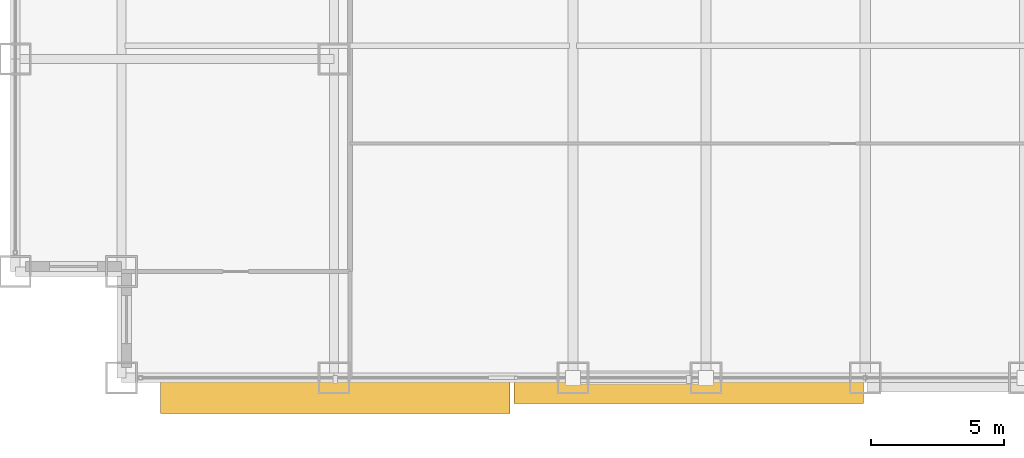
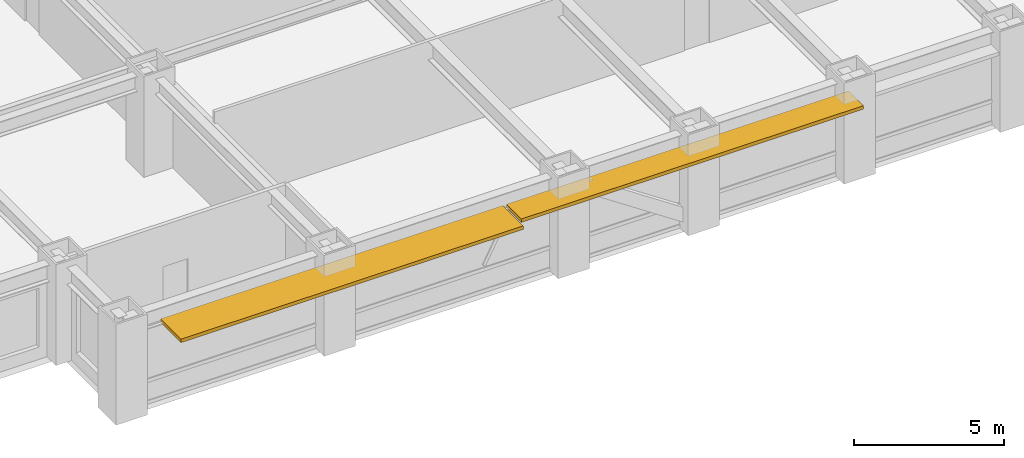
# One storey, part 28 of 32: 2 shading devices.
"""IFC4 building model written with IfcOpenShell, lengths in metres."""

from ifc_helpers import new_model, si_unit, direction, frame, origin, origin_2d, place, context, subcontext, project, spatial, rectangle, extrude, source, transform, mapped, material, layer, layer_set, type_object, element, save


model = new_model("IFC4")

# Units and contexts
model_context = context("Model", 3, precision=1e-05, world=origin(), true_north=direction((0.0, 1.0)))
body_context = subcontext(model_context, "Body", "Model", "MODEL_VIEW")
ifc_project = project(units=[si_unit("LENGTHUNIT", "METRE"), si_unit("AREAUNIT", "SQUARE_METRE"), si_unit("VOLUMEUNIT", "CUBIC_METRE"), si_unit("PLANEANGLEUNIT", "RADIAN"), si_unit("MASSUNIT", "GRAM", prefix="KILO")], contexts=[model_context])

# Site, building, storey
site_placement = place(None, origin())
site = spatial("IfcSite", under=ifc_project, at=site_placement, CompositionType="ELEMENT")
building_placement = place(site_placement, origin())
building = spatial("IfcBuilding", under=site, at=building_placement, Name="Khorayat Bourse Tower", CompositionType="ELEMENT")
storey_placement = place(building_placement, frame((0.0, 0.0, 99.60009765625)))
storey = spatial("IfcBuildingStorey", under=building, at=storey_placement, Name="L22", CompositionType="ELEMENT", Elevation=99.60009765625)

# Shading devices
ifc_material = material(Name="Precast concrete C45/55", Category="concrete")
ifc_layer = layer(ifc_material, 0.139892578125)
ifc_layer_set = layer_set([ifc_layer], Name="Precast concrete C45/55")
shading_device_type = type_object("IfcShadingDeviceType", Name="SHD-WAVE-TRAY-B", PredefinedType="USERDEFINED", material=ifc_layer_set)
shared_shape_1 = source(origin(), body_context, "Body", "SweptSolid", [
    extrude(rectangle(XDim=13.159912109375, YDim=1.3671875, at=origin_2d()), origin(), (0.0, 0.0, 1.0), 0.139892578125),
])
shading_device_1_placement = place(storey_placement, frame((-19.949951171875, -32.66357421875, 3.08984375), z_axis=(0.0, 0.0, 1.0), x_axis=(1.0, 0.0, 0.0)))
element("IfcShadingDevice", 1, at=shading_device_1_placement, inside=storey, type_object=shading_device_type, Name="L22 Sinusoidal Wave Sunshade Tray S-1", ObjectType="SUNSHADE", PredefinedType="USERDEFINED", context=body_context, shape_type="MappedRepresentation", body=[
    mapped(shared_shape_1, transform((0.0, 0.0, 0.0), scale=1.0)),
])
shared_shape_2 = source(origin(), body_context, "Body", "SweptSolid", [
    extrude(rectangle(XDim=13.159912109375, YDim=0.989990234375, at=origin_2d()), origin(), (0.0, 0.0, 1.0), 0.139892578125),
])
shading_device_2_placement = place(storey_placement, frame((-6.64990234375, -32.47509765625, 3.08984375), z_axis=(0.0, 0.0, 1.0), x_axis=(1.0, 0.0, 0.0)))
element("IfcShadingDevice", 2, at=shading_device_2_placement, inside=storey, type_object=shading_device_type, Name="L22 Sinusoidal Wave Sunshade Tray S-2", ObjectType="SUNSHADE", PredefinedType="USERDEFINED", context=body_context, shape_type="MappedRepresentation", body=[
    mapped(shared_shape_2, transform((0.0, 0.0, 0.0), scale=1.0)),
])

save(model, "model.ifc")
